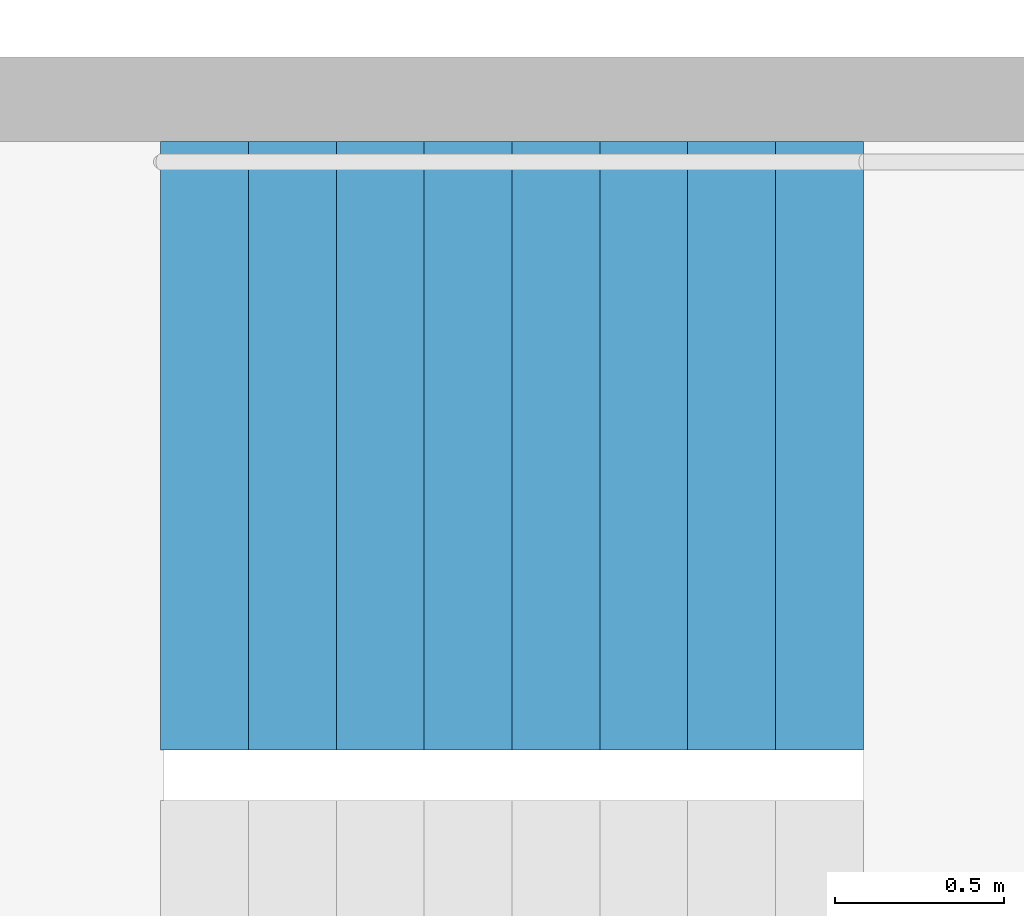
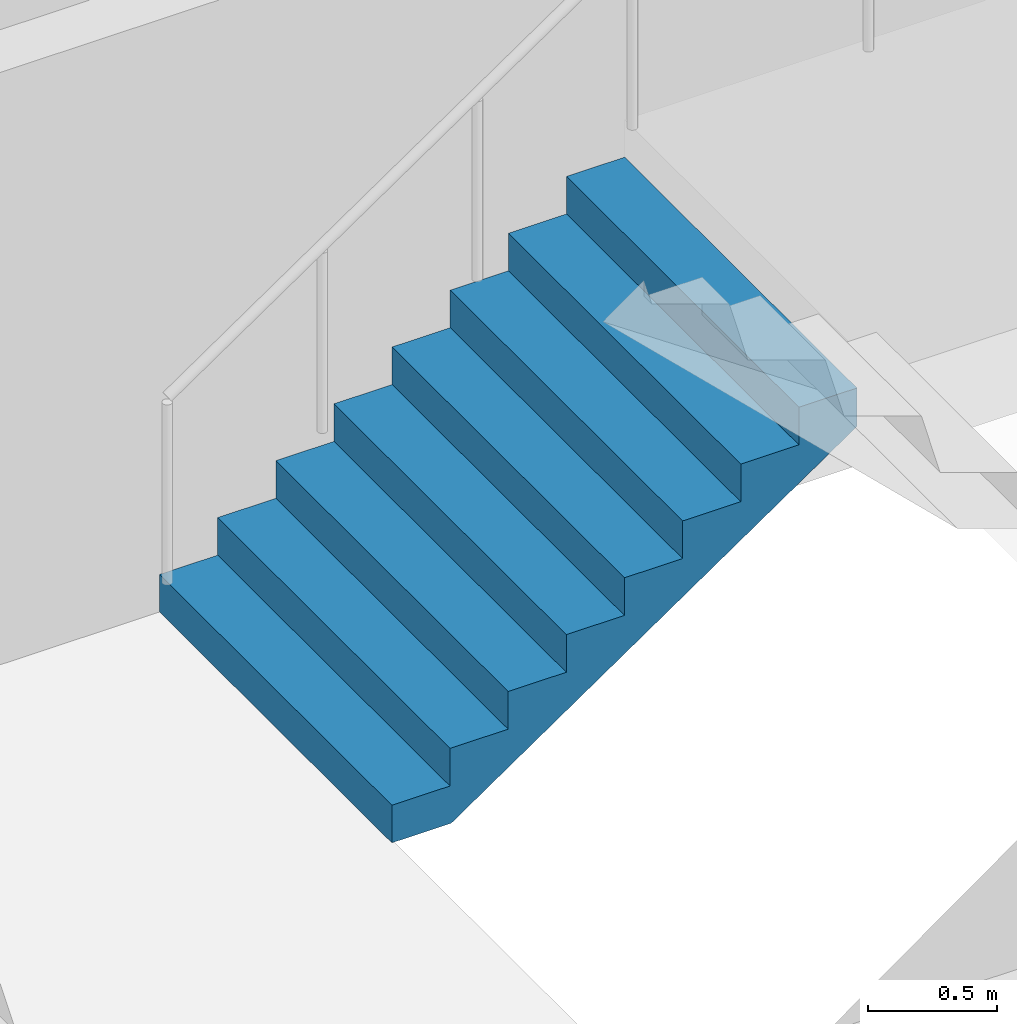
# One storey, part 25 of 35: 1 stair flight, 1 element without a shape of its own.
"""IFC4 building model written with IfcOpenShell, lengths in metres."""

from ifc_helpers import new_model, si_unit, direction, frame, origin, place, context, subcontext, project, spatial, triangles, material, type_object, element, aggregate, save


model = new_model("IFC4")

# Units and contexts
model_context = context("Model", 3, precision=1e-05, world=origin(), true_north=direction((0.0, 1.0)))
body_context = subcontext(model_context, "Body", "Model", "MODEL_VIEW")
ifc_project = project(units=[si_unit("LENGTHUNIT", "METRE"), si_unit("AREAUNIT", "SQUARE_METRE"), si_unit("VOLUMEUNIT", "CUBIC_METRE"), si_unit("PLANEANGLEUNIT", "RADIAN"), si_unit("MASSUNIT", "GRAM", prefix="KILO")], contexts=[model_context])

# Site, building, storey
site_placement = place(None, origin())
site = spatial("IfcSite", under=ifc_project, at=site_placement, CompositionType="ELEMENT")
building_placement = place(site_placement, origin())
building = spatial("IfcBuilding", under=site, at=building_placement, Name="Hakoniwa Tower and Hamabe Station Hall", CompositionType="ELEMENT")
storey_placement = place(building_placement, frame((0.0, 0.0, 51.800048828125)))
storey = spatial("IfcBuildingStorey", under=building, at=storey_placement, Name="L14", CompositionType="ELEMENT", Elevation=51.800048828125)

# Stair, stair flight
ifc_material_1 = material(Name="Concrete C40", Category="concrete")
stair_type = type_object("IfcStairType", Name="ESCAPE STAIR 1800", PredefinedType="HALF_TURN_STAIR", material=ifc_material_1)
stair_placement = place(storey_placement, origin())
stair = element("IfcStair", 1, at=stair_placement, inside=storey, type_object=stair_type, Name="Escape stair ST-4 L14", PredefinedType="HALF_TURN_STAIR")
ifc_material_2 = material(Name="Concrete C40", Category="concrete")
stair_flight_type = type_object("IfcStairFlightType", Name="STAIR FLIGHT 1800", PredefinedType="STRAIGHT", material=ifc_material_2)
stair_flight_placement = place(storey_placement, frame((23.39990234375, -4.64990234375, 0.0), z_axis=(0.0, 0.0, 1.0), x_axis=(1.0, 0.0, 0.0)))
stair_flight = element("IfcStairFlight", 2, at=stair_flight_placement, type_object=stair_flight_type, Name="ST-4 flight 1", NumberOfRisers=9, NumberOfTreads=8, PredefinedType="STRAIGHT", RiserHeight=0.177777778, TreadLength=0.26, context=body_context, shape_type="Tessellation", body=[
    triangles([(0.0, 0.89990234375, 0.0), (0.260009765625, 0.89990234375, 0.0), (0.265625, 0.89990234375, 0.0), (0.52001953125, 0.89990234375, 0.174072265625), (0.780029296875, 0.89990234375, 0.351806640625), (1.0400390625, 0.89990234375, 0.529541015625), (1.300048828125, 0.89990234375, 0.707275390625), (1.56005859375, 0.89990234375, 0.885009765625), (1.820068359375, 0.89990234375, 1.062744140625), (2.080078125, 0.89990234375, 1.24072265625), (2.080078125, 0.89990234375, 1.422119140625), (1.820068359375, 0.89990234375, 1.422119140625), (1.820068359375, 0.89990234375, 1.244384765625), (1.56005859375, 0.89990234375, 1.244384765625), (1.56005859375, 0.89990234375, 1.066650390625), (1.300048828125, 0.89990234375, 1.066650390625), (1.300048828125, 0.89990234375, 0.888916015625), (1.0400390625, 0.89990234375, 0.888916015625), (1.0400390625, 0.89990234375, 0.711181640625), (0.780029296875, 0.89990234375, 0.711181640625), (0.780029296875, 0.89990234375, 0.533447265625), (0.52001953125, 0.89990234375, 0.533447265625), (0.52001953125, 0.89990234375, 0.35546875), (0.265625, 0.89990234375, 0.35546875), (0.260009765625, 0.89990234375, 0.35546875), (0.260009765625, 0.89990234375, 0.177734375), (0.0, 0.89990234375, 0.177734375), (0.0, 0.06005859375, 0.0), (0.260009765625, 0.06005859375, 0.0), (0.265625, 0.06005859375, 0.0), (0.52001953125, 0.06005859375, 0.174072265625), (0.780029296875, 0.06005859375, 0.351806640625), (1.0400390625, 0.06005859375, 0.529541015625), (1.300048828125, 0.06005859375, 0.707275390625), (1.56005859375, 0.06005859375, 0.885009765625), (1.820068359375, 0.06005859375, 1.062744140625), (2.080078125, 0.06005859375, 1.24072265625), (2.080078125, 0.06005859375, 1.422119140625), (1.820068359375, 0.06005859375, 1.422119140625), (1.820068359375, 0.06005859375, 1.244384765625), (1.56005859375, 0.06005859375, 1.244384765625), (1.56005859375, 0.06005859375, 1.066650390625), (1.300048828125, 0.06005859375, 1.066650390625), (1.300048828125, 0.06005859375, 0.888916015625), (1.0400390625, 0.06005859375, 0.888916015625), (1.0400390625, 0.06005859375, 0.711181640625), (0.780029296875, 0.06005859375, 0.711181640625), (0.780029296875, 0.06005859375, 0.533447265625), (0.52001953125, 0.06005859375, 0.533447265625), (0.52001953125, 0.06005859375, 0.35546875), (0.265625, 0.06005859375, 0.35546875), (0.260009765625, 0.06005859375, 0.35546875), (0.260009765625, 0.06005859375, 0.177734375), (0.0, 0.06005859375, 0.177734375), (0.0, 0.04296875, 0.0), (0.260009765625, 0.04296875, 0.0), (0.265625, 0.04296875, 0.0), (0.52001953125, 0.04296875, 0.174072265625), (0.780029296875, 0.04296875, 0.351806640625), (1.0400390625, 0.04296875, 0.529541015625), (1.300048828125, 0.04296875, 0.707275390625), (1.56005859375, 0.04296875, 0.885009765625), (1.820068359375, 0.04296875, 1.062744140625), (2.080078125, 0.04296875, 1.24072265625), (2.080078125, 0.04296875, 1.422119140625), (1.820068359375, 0.04296875, 1.422119140625), (1.820068359375, 0.04296875, 1.244384765625), (1.56005859375, 0.04296875, 1.244384765625), (1.56005859375, 0.04296875, 1.066650390625), (1.300048828125, 0.04296875, 1.066650390625), (1.300048828125, 0.04296875, 0.888916015625), (1.0400390625, 0.04296875, 0.888916015625), (1.0400390625, 0.04296875, 0.711181640625), (0.780029296875, 0.04296875, 0.711181640625), (0.780029296875, 0.04296875, 0.533447265625), (0.52001953125, 0.04296875, 0.533447265625), (0.52001953125, 0.04296875, 0.35546875), (0.265625, 0.04296875, 0.35546875), (0.260009765625, 0.04296875, 0.35546875), (0.260009765625, 0.04296875, 0.177734375), (0.0, 0.04296875, 0.177734375), (0.0, 0.025634765625, 0.0), (0.260009765625, 0.025634765625, 0.0), (0.265625, 0.025634765625, 0.0), (0.52001953125, 0.025634765625, 0.174072265625), (0.780029296875, 0.025634765625, 0.351806640625), (1.0400390625, 0.025634765625, 0.529541015625), (1.300048828125, 0.025634765625, 0.707275390625), (1.56005859375, 0.025634765625, 0.885009765625), (1.820068359375, 0.025634765625, 1.062744140625), (2.080078125, 0.025634765625, 1.24072265625), (2.080078125, 0.025634765625, 1.422119140625), (1.820068359375, 0.025634765625, 1.422119140625), (1.820068359375, 0.025634765625, 1.244384765625), (1.56005859375, 0.025634765625, 1.244384765625), (1.56005859375, 0.025634765625, 1.066650390625), (1.300048828125, 0.025634765625, 1.066650390625), (1.300048828125, 0.025634765625, 0.888916015625), (1.0400390625, 0.025634765625, 0.888916015625), (1.0400390625, 0.025634765625, 0.711181640625), (0.780029296875, 0.025634765625, 0.711181640625), (0.780029296875, 0.025634765625, 0.533447265625), (0.52001953125, 0.025634765625, 0.533447265625), (0.52001953125, 0.025634765625, 0.35546875), (0.265625, 0.025634765625, 0.35546875), (0.260009765625, 0.025634765625, 0.35546875), (0.260009765625, 0.025634765625, 0.177734375), (0.0, 0.025634765625, 0.177734375), (0.0, 0.008544921875, 0.0), (0.260009765625, 0.008544921875, 0.0), (0.265625, 0.008544921875, 0.0), (0.52001953125, 0.008544921875, 0.174072265625), (0.780029296875, 0.008544921875, 0.351806640625), (1.0400390625, 0.008544921875, 0.529541015625), (1.300048828125, 0.008544921875, 0.707275390625), (1.56005859375, 0.008544921875, 0.885009765625), (1.820068359375, 0.008544921875, 1.062744140625), (2.080078125, 0.008544921875, 1.24072265625), (2.080078125, 0.008544921875, 1.422119140625), (1.820068359375, 0.008544921875, 1.422119140625), (1.820068359375, 0.008544921875, 1.244384765625), (1.56005859375, 0.008544921875, 1.244384765625), (1.56005859375, 0.008544921875, 1.066650390625), (1.300048828125, 0.008544921875, 1.066650390625), (1.300048828125, 0.008544921875, 0.888916015625), (1.0400390625, 0.008544921875, 0.888916015625), (1.0400390625, 0.008544921875, 0.711181640625), (0.780029296875, 0.008544921875, 0.711181640625), (0.780029296875, 0.008544921875, 0.533447265625), (0.52001953125, 0.008544921875, 0.533447265625), (0.52001953125, 0.008544921875, 0.35546875), (0.265625, 0.008544921875, 0.35546875), (0.260009765625, 0.008544921875, 0.35546875), (0.260009765625, 0.008544921875, 0.177734375), (0.0, 0.008544921875, 0.177734375), (0.0, -0.008544921875, 0.0), (0.260009765625, -0.008544921875, 0.0), (0.265625, -0.008544921875, 0.0), (0.52001953125, -0.008544921875, 0.174072265625), (0.780029296875, -0.008544921875, 0.351806640625), (1.0400390625, -0.008544921875, 0.529541015625), (1.300048828125, -0.008544921875, 0.707275390625), (1.56005859375, -0.008544921875, 0.885009765625), (1.820068359375, -0.008544921875, 1.062744140625), (2.080078125, -0.008544921875, 1.24072265625), (2.080078125, -0.008544921875, 1.422119140625), (1.820068359375, -0.008544921875, 1.422119140625), (1.820068359375, -0.008544921875, 1.244384765625), (1.56005859375, -0.008544921875, 1.244384765625), (1.56005859375, -0.008544921875, 1.066650390625), (1.300048828125, -0.008544921875, 1.066650390625), (1.300048828125, -0.008544921875, 0.888916015625), (1.0400390625, -0.008544921875, 0.888916015625), (1.0400390625, -0.008544921875, 0.711181640625), (0.780029296875, -0.008544921875, 0.711181640625), (0.780029296875, -0.008544921875, 0.533447265625), (0.52001953125, -0.008544921875, 0.533447265625), (0.52001953125, -0.008544921875, 0.35546875), (0.265625, -0.008544921875, 0.35546875), (0.260009765625, -0.008544921875, 0.35546875), (0.260009765625, -0.008544921875, 0.177734375), (0.0, -0.008544921875, 0.177734375), (0.0, -0.025634765625, 0.0), (0.260009765625, -0.025634765625, 0.0), (0.265625, -0.025634765625, 0.0), (0.52001953125, -0.025634765625, 0.174072265625), (0.780029296875, -0.025634765625, 0.351806640625), (1.0400390625, -0.025634765625, 0.529541015625), (1.300048828125, -0.025634765625, 0.707275390625), (1.56005859375, -0.025634765625, 0.885009765625), (1.820068359375, -0.025634765625, 1.062744140625), (2.080078125, -0.025634765625, 1.24072265625), (2.080078125, -0.025634765625, 1.422119140625), (1.820068359375, -0.025634765625, 1.422119140625), (1.820068359375, -0.025634765625, 1.244384765625), (1.56005859375, -0.025634765625, 1.244384765625), (1.56005859375, -0.025634765625, 1.066650390625), (1.300048828125, -0.025634765625, 1.066650390625), (1.300048828125, -0.025634765625, 0.888916015625), (1.0400390625, -0.025634765625, 0.888916015625), (1.0400390625, -0.025634765625, 0.711181640625), (0.780029296875, -0.025634765625, 0.711181640625), (0.780029296875, -0.025634765625, 0.533447265625), (0.52001953125, -0.025634765625, 0.533447265625), (0.52001953125, -0.025634765625, 0.35546875), (0.265625, -0.025634765625, 0.35546875), (0.260009765625, -0.025634765625, 0.35546875), (0.260009765625, -0.025634765625, 0.177734375), (0.0, -0.025634765625, 0.177734375), (0.0, -0.04296875, 0.0), (0.260009765625, -0.04296875, 0.0), (0.265625, -0.04296875, 0.0), (0.52001953125, -0.04296875, 0.174072265625), (0.780029296875, -0.04296875, 0.351806640625), (1.0400390625, -0.04296875, 0.529541015625), (1.300048828125, -0.04296875, 0.707275390625), (1.56005859375, -0.04296875, 0.885009765625), (1.820068359375, -0.04296875, 1.062744140625), (2.080078125, -0.04296875, 1.24072265625), (2.080078125, -0.04296875, 1.422119140625), (1.820068359375, -0.04296875, 1.422119140625), (1.820068359375, -0.04296875, 1.244384765625), (1.56005859375, -0.04296875, 1.244384765625), (1.56005859375, -0.04296875, 1.066650390625), (1.300048828125, -0.04296875, 1.066650390625), (1.300048828125, -0.04296875, 0.888916015625), (1.0400390625, -0.04296875, 0.888916015625), (1.0400390625, -0.04296875, 0.711181640625), (0.780029296875, -0.04296875, 0.711181640625), (0.780029296875, -0.04296875, 0.533447265625), (0.52001953125, -0.04296875, 0.533447265625), (0.52001953125, -0.04296875, 0.35546875), (0.265625, -0.04296875, 0.35546875), (0.260009765625, -0.04296875, 0.35546875), (0.260009765625, -0.04296875, 0.177734375), (0.0, -0.04296875, 0.177734375), (0.0, -0.06005859375, 0.0), (0.260009765625, -0.06005859375, 0.0), (0.265625, -0.06005859375, 0.0), (0.52001953125, -0.06005859375, 0.174072265625), (0.780029296875, -0.06005859375, 0.351806640625), (1.0400390625, -0.06005859375, 0.529541015625), (1.300048828125, -0.06005859375, 0.707275390625), (1.56005859375, -0.06005859375, 0.885009765625), (1.820068359375, -0.06005859375, 1.062744140625), (2.080078125, -0.06005859375, 1.24072265625), (2.080078125, -0.06005859375, 1.422119140625), (1.820068359375, -0.06005859375, 1.422119140625), (1.820068359375, -0.06005859375, 1.244384765625), (1.56005859375, -0.06005859375, 1.244384765625), (1.56005859375, -0.06005859375, 1.066650390625), (1.300048828125, -0.06005859375, 1.066650390625), (1.300048828125, -0.06005859375, 0.888916015625), (1.0400390625, -0.06005859375, 0.888916015625), (1.0400390625, -0.06005859375, 0.711181640625), (0.780029296875, -0.06005859375, 0.711181640625), (0.780029296875, -0.06005859375, 0.533447265625), (0.52001953125, -0.06005859375, 0.533447265625), (0.52001953125, -0.06005859375, 0.35546875), (0.265625, -0.06005859375, 0.35546875), (0.260009765625, -0.06005859375, 0.35546875), (0.260009765625, -0.06005859375, 0.177734375), (0.0, -0.06005859375, 0.177734375), (0.0, -0.89990234375, 0.0), (0.260009765625, -0.89990234375, 0.0), (0.265625, -0.89990234375, 0.0), (0.52001953125, -0.89990234375, 0.174072265625), (0.780029296875, -0.89990234375, 0.351806640625), (1.0400390625, -0.89990234375, 0.529541015625), (1.300048828125, -0.89990234375, 0.707275390625), (1.56005859375, -0.89990234375, 0.885009765625), (1.820068359375, -0.89990234375, 1.062744140625), (2.080078125, -0.89990234375, 1.24072265625), (2.080078125, -0.89990234375, 1.422119140625), (1.820068359375, -0.89990234375, 1.422119140625), (1.820068359375, -0.89990234375, 1.244384765625), (1.56005859375, -0.89990234375, 1.244384765625), (1.56005859375, -0.89990234375, 1.066650390625), (1.300048828125, -0.89990234375, 1.066650390625), (1.300048828125, -0.89990234375, 0.888916015625), (1.0400390625, -0.89990234375, 0.888916015625), (1.0400390625, -0.89990234375, 0.711181640625), (0.780029296875, -0.89990234375, 0.711181640625), (0.780029296875, -0.89990234375, 0.533447265625), (0.52001953125, -0.89990234375, 0.533447265625), (0.52001953125, -0.89990234375, 0.35546875), (0.265625, -0.89990234375, 0.35546875), (0.260009765625, -0.89990234375, 0.35546875), (0.260009765625, -0.89990234375, 0.177734375), (0.0, -0.89990234375, 0.177734375)], [[2, 27, 26], [245, 269, 270], [2, 1, 27], [245, 270, 244], [3, 25, 24], [246, 267, 268], [3, 26, 25], [246, 268, 269], [3, 2, 26], [246, 269, 245], [4, 24, 23], [247, 266, 267], [4, 3, 24], [247, 267, 246], [5, 22, 21], [248, 264, 265], [5, 23, 22], [248, 265, 266], [5, 4, 23], [248, 266, 247], [6, 20, 19], [249, 262, 263], [6, 21, 20], [249, 263, 264], [6, 5, 21], [249, 264, 248], [7, 18, 17], [250, 260, 261], [7, 19, 18], [250, 261, 262], [7, 6, 19], [250, 262, 249], [8, 16, 15], [251, 258, 259], [8, 17, 16], [251, 259, 260], [8, 7, 17], [251, 260, 250], [9, 14, 13], [252, 256, 257], [9, 15, 14], [252, 257, 258], [9, 8, 15], [252, 258, 251], [10, 12, 11], [253, 254, 255], [10, 13, 12], [253, 255, 256], [10, 9, 13], [253, 256, 252], [1, 2, 29], [1, 29, 28], [28, 29, 56], [28, 56, 55], [55, 56, 83], [55, 83, 82], [82, 83, 110], [82, 110, 109], [109, 110, 137], [109, 137, 136], [136, 137, 164], [136, 164, 163], [163, 164, 191], [163, 191, 190], [190, 191, 218], [190, 218, 217], [217, 218, 245], [217, 245, 244], [2, 3, 30], [2, 30, 29], [29, 30, 57], [29, 57, 56], [56, 57, 84], [56, 84, 83], [83, 84, 111], [83, 111, 110], [110, 111, 138], [110, 138, 137], [137, 138, 165], [137, 165, 164], [164, 165, 192], [164, 192, 191], [191, 192, 219], [191, 219, 218], [218, 219, 246], [218, 246, 245], [3, 4, 31], [3, 31, 30], [30, 31, 58], [30, 58, 57], [57, 58, 85], [57, 85, 84], [84, 85, 112], [84, 112, 111], [111, 112, 139], [111, 139, 138], [138, 139, 166], [138, 166, 165], [165, 166, 193], [165, 193, 192], [192, 193, 220], [192, 220, 219], [219, 220, 247], [219, 247, 246], [4, 5, 32], [4, 32, 31], [31, 32, 59], [31, 59, 58], [58, 59, 86], [58, 86, 85], [85, 86, 113], [85, 113, 112], [112, 113, 140], [112, 140, 139], [139, 140, 167], [139, 167, 166], [166, 167, 194], [166, 194, 193], [193, 194, 221], [193, 221, 220], [220, 221, 248], [220, 248, 247], [5, 6, 33], [5, 33, 32], [32, 33, 60], [32, 60, 59], [59, 60, 87], [59, 87, 86], [86, 87, 114], [86, 114, 113], [113, 114, 141], [113, 141, 140], [140, 141, 168], [140, 168, 167], [167, 168, 195], [167, 195, 194], [194, 195, 222], [194, 222, 221], [221, 222, 249], [221, 249, 248], [6, 7, 34], [6, 34, 33], [33, 34, 61], [33, 61, 60], [60, 61, 88], [60, 88, 87], [87, 88, 115], [87, 115, 114], [114, 115, 142], [114, 142, 141], [141, 142, 169], [141, 169, 168], [168, 169, 196], [168, 196, 195], [195, 196, 223], [195, 223, 222], [222, 223, 250], [222, 250, 249], [7, 8, 35], [7, 35, 34], [34, 35, 62], [34, 62, 61], [61, 62, 89], [61, 89, 88], [88, 89, 116], [88, 116, 115], [115, 116, 143], [115, 143, 142], [142, 143, 170], [142, 170, 169], [169, 170, 197], [169, 197, 196], [196, 197, 224], [196, 224, 223], [223, 224, 251], [223, 251, 250], [8, 9, 36], [8, 36, 35], [35, 36, 63], [35, 63, 62], [62, 63, 90], [62, 90, 89], [89, 90, 117], [89, 117, 116], [116, 117, 144], [116, 144, 143], [143, 144, 171], [143, 171, 170], [170, 171, 198], [170, 198, 197], [197, 198, 225], [197, 225, 224], [224, 225, 252], [224, 252, 251], [9, 10, 37], [9, 37, 36], [36, 37, 64], [36, 64, 63], [63, 64, 91], [63, 91, 90], [90, 91, 118], [90, 118, 117], [117, 118, 145], [117, 145, 144], [144, 145, 172], [144, 172, 171], [171, 172, 199], [171, 199, 198], [198, 199, 226], [198, 226, 225], [225, 226, 253], [225, 253, 252], [10, 11, 38], [10, 38, 37], [37, 38, 65], [37, 65, 64], [64, 65, 92], [64, 92, 91], [91, 92, 119], [91, 119, 118], [118, 119, 146], [118, 146, 145], [145, 146, 173], [145, 173, 172], [172, 173, 200], [172, 200, 199], [199, 200, 227], [199, 227, 226], [226, 227, 254], [226, 254, 253], [11, 12, 39], [11, 39, 38], [38, 39, 66], [38, 66, 65], [65, 66, 93], [65, 93, 92], [92, 93, 120], [92, 120, 119], [119, 120, 147], [119, 147, 146], [146, 147, 174], [146, 174, 173], [173, 174, 201], [173, 201, 200], [200, 201, 228], [200, 228, 227], [227, 228, 255], [227, 255, 254], [12, 13, 40], [12, 40, 39], [39, 40, 67], [39, 67, 66], [66, 67, 94], [66, 94, 93], [93, 94, 121], [93, 121, 120], [120, 121, 148], [120, 148, 147], [147, 148, 175], [147, 175, 174], [174, 175, 202], [174, 202, 201], [201, 202, 229], [201, 229, 228], [228, 229, 256], [228, 256, 255], [13, 14, 41], [13, 41, 40], [40, 41, 68], [40, 68, 67], [67, 68, 95], [67, 95, 94], [94, 95, 122], [94, 122, 121], [121, 122, 149], [121, 149, 148], [148, 149, 176], [148, 176, 175], [175, 176, 203], [175, 203, 202], [202, 203, 230], [202, 230, 229], [229, 230, 257], [229, 257, 256], [14, 15, 42], [14, 42, 41], [41, 42, 69], [41, 69, 68], [68, 69, 96], [68, 96, 95], [95, 96, 123], [95, 123, 122], [122, 123, 150], [122, 150, 149], [149, 150, 177], [149, 177, 176], [176, 177, 204], [176, 204, 203], [203, 204, 231], [203, 231, 230], [230, 231, 258], [230, 258, 257], [15, 16, 43], [15, 43, 42], [42, 43, 70], [42, 70, 69], [69, 70, 97], [69, 97, 96], [96, 97, 124], [96, 124, 123], [123, 124, 151], [123, 151, 150], [150, 151, 178], [150, 178, 177], [177, 178, 205], [177, 205, 204], [204, 205, 232], [204, 232, 231], [231, 232, 259], [231, 259, 258], [16, 17, 44], [16, 44, 43], [43, 44, 71], [43, 71, 70], [70, 71, 98], [70, 98, 97], [97, 98, 125], [97, 125, 124], [124, 125, 152], [124, 152, 151], [151, 152, 179], [151, 179, 178], [178, 179, 206], [178, 206, 205], [205, 206, 233], [205, 233, 232], [232, 233, 260], [232, 260, 259], [17, 18, 45], [17, 45, 44], [44, 45, 72], [44, 72, 71], [71, 72, 99], [71, 99, 98], [98, 99, 126], [98, 126, 125], [125, 126, 153], [125, 153, 152], [152, 153, 180], [152, 180, 179], [179, 180, 207], [179, 207, 206], [206, 207, 234], [206, 234, 233], [233, 234, 261], [233, 261, 260], [18, 19, 46], [18, 46, 45], [45, 46, 73], [45, 73, 72], [72, 73, 100], [72, 100, 99], [99, 100, 127], [99, 127, 126], [126, 127, 154], [126, 154, 153], [153, 154, 181], [153, 181, 180], [180, 181, 208], [180, 208, 207], [207, 208, 235], [207, 235, 234], [234, 235, 262], [234, 262, 261], [19, 20, 47], [19, 47, 46], [46, 47, 74], [46, 74, 73], [73, 74, 101], [73, 101, 100], [100, 101, 128], [100, 128, 127], [127, 128, 155], [127, 155, 154], [154, 155, 182], [154, 182, 181], [181, 182, 209], [181, 209, 208], [208, 209, 236], [208, 236, 235], [235, 236, 263], [235, 263, 262], [20, 21, 48], [20, 48, 47], [47, 48, 75], [47, 75, 74], [74, 75, 102], [74, 102, 101], [101, 102, 129], [101, 129, 128], [128, 129, 156], [128, 156, 155], [155, 156, 183], [155, 183, 182], [182, 183, 210], [182, 210, 209], [209, 210, 237], [209, 237, 236], [236, 237, 264], [236, 264, 263], [21, 22, 49], [21, 49, 48], [48, 49, 76], [48, 76, 75], [75, 76, 103], [75, 103, 102], [102, 103, 130], [102, 130, 129], [129, 130, 157], [129, 157, 156], [156, 157, 184], [156, 184, 183], [183, 184, 211], [183, 211, 210], [210, 211, 238], [210, 238, 237], [237, 238, 265], [237, 265, 264], [22, 23, 50], [22, 50, 49], [49, 50, 77], [49, 77, 76], [76, 77, 104], [76, 104, 103], [103, 104, 131], [103, 131, 130], [130, 131, 158], [130, 158, 157], [157, 158, 185], [157, 185, 184], [184, 185, 212], [184, 212, 211], [211, 212, 239], [211, 239, 238], [238, 239, 266], [238, 266, 265], [23, 24, 51], [23, 51, 50], [50, 51, 78], [50, 78, 77], [77, 78, 105], [77, 105, 104], [104, 105, 132], [104, 132, 131], [131, 132, 159], [131, 159, 158], [158, 159, 186], [158, 186, 185], [185, 186, 213], [185, 213, 212], [212, 213, 240], [212, 240, 239], [239, 240, 267], [239, 267, 266], [24, 25, 52], [24, 52, 51], [51, 52, 79], [51, 79, 78], [78, 79, 106], [78, 106, 105], [105, 106, 133], [105, 133, 132], [132, 133, 160], [132, 160, 159], [159, 160, 187], [159, 187, 186], [186, 187, 214], [186, 214, 213], [213, 214, 241], [213, 241, 240], [240, 241, 268], [240, 268, 267], [25, 26, 53], [25, 53, 52], [52, 53, 80], [52, 80, 79], [79, 80, 107], [79, 107, 106], [106, 107, 134], [106, 134, 133], [133, 134, 161], [133, 161, 160], [160, 161, 188], [160, 188, 187], [187, 188, 215], [187, 215, 214], [214, 215, 242], [214, 242, 241], [241, 242, 269], [241, 269, 268], [26, 27, 54], [26, 54, 53], [53, 54, 81], [53, 81, 80], [80, 81, 108], [80, 108, 107], [107, 108, 135], [107, 135, 134], [134, 135, 162], [134, 162, 161], [161, 162, 189], [161, 189, 188], [188, 189, 216], [188, 216, 215], [215, 216, 243], [215, 243, 242], [242, 243, 270], [242, 270, 269], [27, 1, 28], [27, 28, 54], [54, 28, 55], [54, 55, 81], [81, 55, 82], [81, 82, 108], [108, 82, 109], [108, 109, 135], [135, 109, 136], [135, 136, 162], [162, 136, 163], [162, 163, 189], [189, 163, 190], [189, 190, 216], [216, 190, 217], [216, 217, 243], [243, 217, 244], [243, 244, 270]], closed=True),
])
aggregate(stair, [stair_flight])

save(model, "model.ifc")
